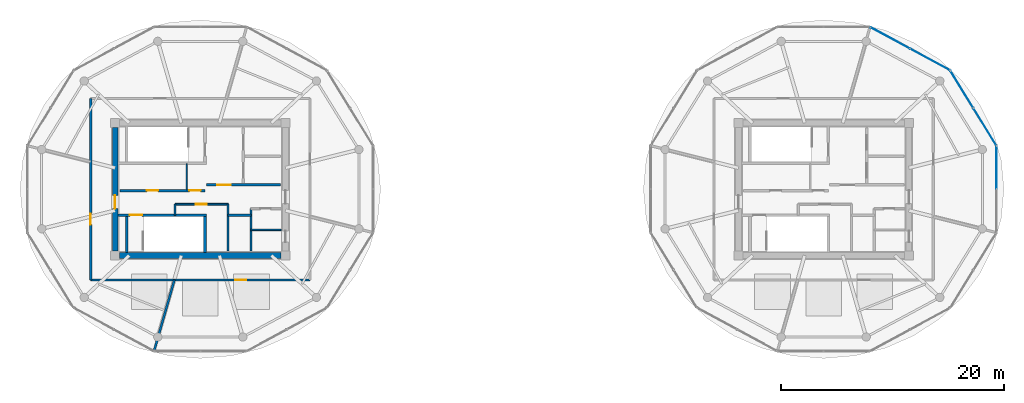
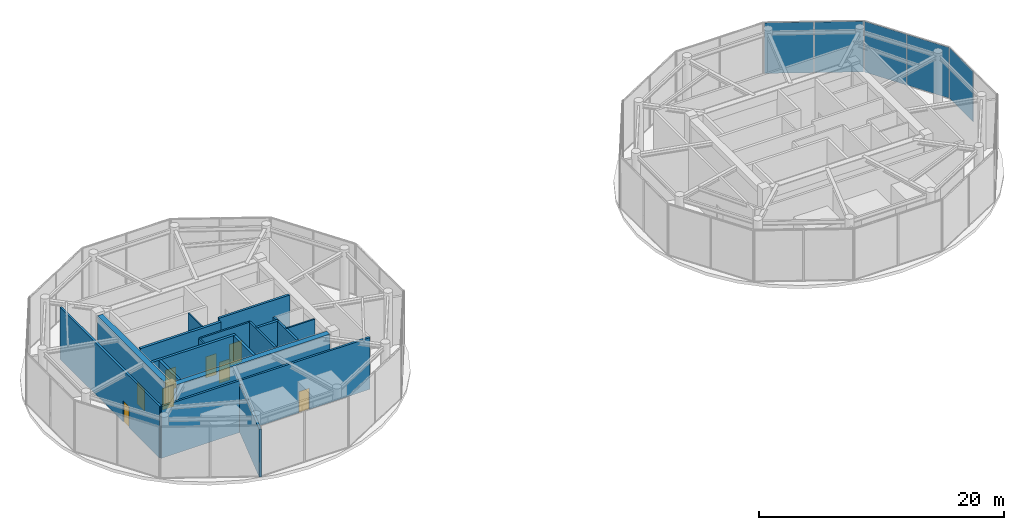
# One storey, part 10 of 15: 17 walls, 8 doors, 5 plates, 8 openings, 3 elements without a shape of their own.
"""IFC4 building model written with IfcOpenShell, lengths in metres."""

from ifc_helpers import new_model, si_unit, direction, frame, frame_2d, origin, origin_2d, place, context, subcontext, project, spatial, rectangle, extrude, source, transform, mapped, material, layer, layer_set, type_object, type_shapes, element, fill, aggregate, save


model = new_model("IFC4")

# Units and contexts
model_context = context("Model", 3, precision=1e-05, world=origin(), true_north=direction((0.0, 1.0)))
body_context = subcontext(model_context, "Body", "Model", "MODEL_VIEW")
ifc_project = project(units=[si_unit("LENGTHUNIT", "METRE"), si_unit("AREAUNIT", "SQUARE_METRE"), si_unit("VOLUMEUNIT", "CUBIC_METRE"), si_unit("PLANEANGLEUNIT", "RADIAN"), si_unit("MASSUNIT", "GRAM", prefix="KILO")], contexts=[model_context])

# Site, building, storey
site_placement = place(None, origin())
site = spatial("IfcSite", under=ifc_project, at=site_placement, CompositionType="ELEMENT")
building_placement = place(site_placement, origin())
building = spatial("IfcBuilding", under=site, at=building_placement, Name="Norrkilde Senior Care Towers", CompositionType="ELEMENT")
storey_placement = place(building_placement, frame((0.0, 0.0, 244.39990234375)))
storey = spatial("IfcBuildingStorey", under=building, at=storey_placement, Name="L76", CompositionType="ELEMENT", Elevation=244.39990234375)

# Curtain wall, plates
ifc_material_1 = material(Name="Triple Low-E Insulated Glazing", Category="glass")
ifc_layer_1 = layer(ifc_material_1, 0.205078125)
ifc_layer_set_1 = layer_set([ifc_layer_1], Name="Triple Low-E Insulated Glazing")
curtain_wall_type = type_object("IfcCurtainWallType", Name="CW7 L76 Damper Lantern Clear Curtain Wall", PredefinedType="NOTDEFINED", material=ifc_layer_set_1)
curtain_wall_1_placement = place(storey_placement, origin())
curtain_wall_1 = element("IfcCurtainWall", 1, at=curtain_wall_1_placement, inside=storey, type_object=curtain_wall_type, Name="L76 Drum E Curtain Wall 00", PredefinedType="NOTDEFINED")
ifc_layer_2 = layer(ifc_material_1, 0.035888671875)
ifc_layer_set_2 = layer_set([ifc_layer_2], Name="Triple Low-E Insulated Glazing")
plate_type = type_object("IfcPlateType", Name="Triple Low-E Vision Curtain Panel 36", PredefinedType="CURTAIN_PANEL", material=ifc_layer_set_2)
shared_shape_1 = source(origin(), body_context, "Body", "SweptSolid", [
    extrude(rectangle(XDim=3.87939453125, YDim=0.035888671875, at=origin_2d()), origin(), (0.0, 0.0, 1.0), 5.054931640625),
])
plate_1_placement = place(storey_placement, frame((40.418701171875, 8.96044921875, 0.06005859375), z_axis=(0.0, 0.0, 1.0), x_axis=(0.524252726748, -0.851562727283, 0.0)))
plate_1 = element("IfcPlate", 2, at=plate_1_placement, type_object=plate_type, Name="CW-7 panel 1.1", PredefinedType="CURTAIN_PANEL", context=body_context, shape_type="MappedRepresentation", body=[
    mapped(shared_shape_1, transform((0.0, 0.0, 0.0), x_axis=(1.0, 0.0, 0.0), y_axis=(0.0, 1.0, 0.0), z_axis=(0.0, 0.0, 1.0), scale=1.0)),
])
plate_2_placement = place(storey_placement, frame((42.48388671875, 5.605712890625, 0.06005859375), z_axis=(0.0, 0.0, 1.0), x_axis=(0.524252726748, -0.851562727283, 0.0)))
plate_2 = element("IfcPlate", 3, at=plate_2_placement, type_object=plate_type, Name="CW-7 panel 2.1", PredefinedType="CURTAIN_PANEL", context=body_context, shape_type="MappedRepresentation", body=[
    mapped(shared_shape_1, transform((0.0, 0.0, 0.0), x_axis=(1.0, 0.0, 0.0), y_axis=(0.0, 1.0, 0.0), z_axis=(0.0, 0.0, 1.0), scale=1.0)),
])
aggregate(curtain_wall_1, [plate_1, plate_2])

curtain_wall_2_placement = place(storey_placement, origin())
curtain_wall_2 = element("IfcCurtainWall", 4, at=curtain_wall_2_placement, inside=storey, type_object=curtain_wall_type, Name="L76 Drum E Curtain Wall 01", PredefinedType="NOTDEFINED")
shared_shape_2 = source(origin(), body_context, "Body", "SweptSolid", [
    extrude(rectangle(XDim=4.008544921875, YDim=0.035888671875, at=origin_2d()), origin(), (0.0, 0.0, 1.0), 5.054931640625),
])
plate_3_placement = place(storey_placement, frame((33.97705078125, 13.583251953125, 0.06005859375), z_axis=(0.0, 0.0, 1.0), x_axis=(0.879373455772, -0.476132676136, 0.0)))
plate_3 = element("IfcPlate", 5, at=plate_3_placement, type_object=plate_type, Name="CW-7 panel 1.1", PredefinedType="CURTAIN_PANEL", context=body_context, shape_type="MappedRepresentation", body=[
    mapped(shared_shape_2, transform((0.0, 0.0, 0.0), x_axis=(1.0, 0.0, 0.0), y_axis=(0.0, 1.0, 0.0), z_axis=(0.0, 0.0, 1.0), scale=1.0)),
])
plate_4_placement = place(storey_placement, frame((37.554931640625, 11.64599609375, 0.06005859375), z_axis=(0.0, 0.0, 1.0), x_axis=(0.879373455772, -0.476132676136, 0.0)))
plate_4 = element("IfcPlate", 6, at=plate_4_placement, type_object=plate_type, Name="CW-7 panel 2.1", PredefinedType="CURTAIN_PANEL", context=body_context, shape_type="MappedRepresentation", body=[
    mapped(shared_shape_2, transform((0.0, 0.0, 0.0), x_axis=(1.0, 0.0, 0.0), y_axis=(0.0, 1.0, 0.0), z_axis=(0.0, 0.0, 1.0), scale=1.0)),
])
aggregate(curtain_wall_2, [plate_3, plate_4])

# Curtain wall, plate
curtain_wall_3_placement = place(storey_placement, origin())
curtain_wall_3 = element("IfcCurtainWall", 7, at=curtain_wall_3_placement, inside=storey, type_object=curtain_wall_type, Name="L76 Drum E Curtain Wall 11", PredefinedType="NOTDEFINED")
shared_shape_3 = source(origin(), body_context, "Body", "SweptSolid", [
    extrude(rectangle(XDim=3.81298828125, YDim=0.035888671875, at=origin_2d()), origin(), (0.0, 0.0, 1.0), 5.054931640625),
])
type_shapes(plate_type, [shared_shape_1, shared_shape_2, shared_shape_3])
plate_5_placement = place(storey_placement, frame((43.531982421875, 1.9365234375, 0.06005859375), z_axis=(0.0, 0.0, 1.0), x_axis=(0.0, -1.0, 0.0)))
plate_5 = element("IfcPlate", 8, at=plate_5_placement, type_object=plate_type, Name="CW-7 panel 1.1", PredefinedType="CURTAIN_PANEL", context=body_context, shape_type="MappedRepresentation", body=[
    mapped(shared_shape_3, transform((0.0, 0.0, 0.0), x_axis=(1.0, 0.0, 0.0), y_axis=(0.0, 1.0, 0.0), z_axis=(0.0, 0.0, 1.0), scale=1.0)),
])
aggregate(curtain_wall_3, [plate_5])

# Wall
ifc_material_2 = material(Name="Concrete C50/60", Category="concrete")
ifc_layer_3 = layer(ifc_material_2, 0.52001953125)
ifc_layer_set_3 = layer_set([ifc_layer_3], Name="Concrete C50/60")
wall_type_1 = type_object("IfcWallType", Name="Core Shear Wall Z4 520", PredefinedType="SHEAR", material=ifc_layer_set_3)
shared_shape_4 = source(origin(), body_context, "Body", "SweptSolid", [
    extrude(rectangle(XDim=14.5, YDim=0.52001953125, at=frame_2d((7.25, 0.0))), origin(), (0.0, 0.0, 1.0), 5.175048828125),
])
wall_1_placement = place(storey_placement, frame((-20.75, -5.949951171875, 0.0), z_axis=(0.0, 0.0, 1.0), x_axis=(-1.0, 0.0, 0.0)))
element("IfcWall", 9, at=wall_1_placement, inside=storey, type_object=wall_type_1, Name="L76 Core W South Shear Wall", PredefinedType="SHEAR", context=body_context, shape_type="MappedRepresentation", body=[
    mapped(shared_shape_4, transform((0.0, 0.0, 0.0), x_axis=(1.0, 0.0, 0.0), y_axis=(0.0, 1.0, 0.0), z_axis=(0.0, 0.0, 1.0), scale=1.0)),
])

# Wall, opening, door
shared_shape_5 = source(origin(), body_context, "Body", "SweptSolid", [
    extrude(rectangle(XDim=11.10009765625, YDim=0.52001953125, at=frame_2d((5.550048828125, 0.0))), origin(), (0.0, 0.0, 1.0), 5.175048828125),
])
type_shapes(wall_type_1, [shared_shape_4, shared_shape_5])
wall_2_placement = place(storey_placement, frame((-35.64990234375, -5.550048828125, 0.0), z_axis=(0.0, 0.0, 1.0), x_axis=(0.0, 1.0, 0.0)))
wall_2 = element("IfcWall", 10, at=wall_2_placement, inside=storey, type_object=wall_type_1, Name="L76 Core W West Shear Wall", PredefinedType="SHEAR", context=body_context, shape_type="MappedRepresentation", body=[
    mapped(shared_shape_5, transform((0.0, 0.0, 0.0), x_axis=(1.0, 0.0, 0.0), y_axis=(0.0, 1.0, 0.0), z_axis=(0.0, 0.0, 1.0), scale=1.0)),
])
opening_1_placement = place(wall_2_placement, frame((3.800048828125, 0.0, 0.0)))
opening_1 = element("IfcOpeningElement", 11, at=opening_1_placement, cuts=wall_2, Name="Opening D-04", PredefinedType="OPENING", context=body_context, shape_type="SweptSolid", body=[
    extrude(rectangle(XDim=1.199951171875, YDim=2.14990234375, at=frame_2d((0.60009765625, 1.074951171875))), frame((0.0, 0.27001953125, 0.0), z_axis=(0.0, -1.0, 0.0), x_axis=(1.0, 0.0, 0.0)), (0.0, 0.0, 1.0), 0.5400390625),
])
ifc_material_3 = material(Name="Galvanised Painted Steel", Category="steel")
door_type_1 = type_object("IfcDoorType", Name="Firefighting Lobby Fire Door 1200x2150", OperationType="NOTDEFINED", PredefinedType="DOOR", material=ifc_material_3)
shared_shape_6 = source(origin(), body_context, "Body", "SweptSolid", [
    extrude(rectangle(XDim=1.199951171875, YDim=2.14990234375, at=frame_2d((0.60009765625, 1.074951171875))), frame((0.0, 0.02490234375, 0.0), z_axis=(0.0, -1.0, 0.0), x_axis=(1.0, 0.0, 0.0)), (0.0, 0.0, 1.0), 0.050048828125),
])
type_shapes(door_type_1, [shared_shape_6])
door_1_placement = place(opening_1_placement, frame((1.199951171875, 0.0, 0.0), z_axis=(0.0, 0.0, 1.0), x_axis=(-1.0, 0.0, 0.0)))
door_1 = element("IfcDoor", 12, at=door_1_placement, inside=storey, type_object=door_type_1, Name="L76 Core W West Portal Door", OperationType="SINGLE_SWING_LEFT", OverallHeight=2.14990234375, OverallWidth=1.199951171875, PredefinedType="DOOR", context=body_context, shape_type="MappedRepresentation", body=[
    mapped(shared_shape_6, transform((0.0, 0.0, 0.0), x_axis=(1.0, 0.0, 0.0), y_axis=(0.0, 1.0, 0.0), z_axis=(0.0, 0.0, 1.0), scale=1.0)),
])
fill(opening_1, door_1)

ifc_material_4 = material(Name="Concrete C45/55", Category="concrete")
ifc_layer_4 = layer(ifc_material_4, 0.239990234375)
ifc_layer_set_4 = layer_set([ifc_layer_4], Name="Concrete C45/55")
wall_type_2 = type_object("IfcWallType", Name="Shaft and Stair Enclosure Wall 240", PredefinedType="PARTITIONING", material=ifc_layer_set_4)
shared_shape_7 = source(origin(), body_context, "Body", "SweptSolid", [
    extrude(rectangle(XDim=7.929931640625, YDim=0.239990234375, at=frame_2d((3.96484375, 0.0))), origin(), (0.0, 0.0, 1.0), 5.175048828125),
])
wall_3_placement = place(storey_placement, frame((-35.389892578125, -2.330078125, 0.0), z_axis=(0.0, 0.0, 1.0), x_axis=(1.0, 0.0, 0.0)))
wall_3 = element("IfcWall", 13, at=wall_3_placement, inside=storey, type_object=wall_type_2, Name="WL-INT-L76-W-ST2N", PredefinedType="PARTITIONING", context=body_context, shape_type="MappedRepresentation", body=[
    mapped(shared_shape_7, transform((0.0, 0.0, 0.0), x_axis=(1.0, 0.0, 0.0), y_axis=(0.0, 1.0, 0.0), z_axis=(0.0, 0.0, 1.0), scale=1.0)),
])
opening_2_placement = place(wall_3_placement, frame((1.050048828125, 0.0, 0.0)))
opening_2 = element("IfcOpeningElement", 14, at=opening_2_placement, cuts=wall_3, Name="Opening D-03", PredefinedType="OPENING", context=body_context, shape_type="SweptSolid", body=[
    extrude(rectangle(XDim=1.10009765625, YDim=2.14990234375, at=frame_2d((0.550048828125, 1.074951171875))), frame((0.0, 0.1298828125, 0.0), z_axis=(0.0, -1.0, 0.0), x_axis=(1.0, 0.0, 0.0)), (0.0, 0.0, 1.0), 0.260009765625),
])
door_type_2 = type_object("IfcDoorType", Name="Stairwell Protected Fire Door 1100x2150", OperationType="NOTDEFINED", PredefinedType="DOOR", material=ifc_material_3)
shared_shape_8 = source(origin(), body_context, "Body", "SweptSolid", [
    extrude(rectangle(XDim=1.10009765625, YDim=2.14990234375, at=frame_2d((0.550048828125, 1.074951171875))), frame((0.0, 0.02490234375, 0.0), z_axis=(0.0, -1.0, 0.0), x_axis=(1.0, 0.0, 0.0)), (0.0, 0.0, 1.0), 0.050048828125),
])
type_shapes(door_type_2, [shared_shape_8])
door_2_placement = place(opening_2_placement, frame((1.10009765625, 0.0, 0.0), z_axis=(0.0, 0.0, 1.0), x_axis=(-1.0, 0.0, 0.0)))
door_2 = element("IfcDoor", 15, at=door_2_placement, inside=storey, type_object=door_type_2, Name="L76 Stair W2 Fire Door", OperationType="SINGLE_SWING_RIGHT", OverallHeight=2.14990234375, OverallWidth=1.10009765625, PredefinedType="DOOR", context=body_context, shape_type="MappedRepresentation", body=[
    mapped(shared_shape_8, transform((0.0, 0.0, 0.0), x_axis=(1.0, 0.0, 0.0), y_axis=(0.0, 1.0, 0.0), z_axis=(0.0, 0.0, 1.0), scale=1.0)),
])
fill(opening_2, door_2)

# Walls
shared_shape_9 = source(origin(), body_context, "Body", "SweptSolid", [
    extrude(rectangle(XDim=3.239990234375, YDim=0.239990234375, at=frame_2d((1.6201171875, 0.0))), origin(), (0.0, 0.0, 1.0), 5.175048828125),
])
type_shapes(wall_type_2, [shared_shape_7, shared_shape_9])
for number, where, z_axis, x_axis, name in (
    (16, (-34.6201171875, -5.68994140625, 0.0), (0.0, 0.0, 1.0), (0.0, 1.0, 0.0), "WL-INT-L76-W-ST2W"),
    (17, (-27.580078125, -5.68994140625, 0.0), (0.0, 0.0, 1.0), (0.0, 1.0, 0.0), "WL-INT-L76-W-ST2E"),
):
    element("IfcWall", number, at=place(storey_placement, frame(where, z_axis=z_axis, x_axis=x_axis)), inside=storey, type_object=wall_type_2, Name=name, PredefinedType="PARTITIONING", context=body_context, shape_type="MappedRepresentation", body=[
        mapped(shared_shape_9, transform((0.0, 0.0, 0.0), x_axis=(1.0, 0.0, 0.0), y_axis=(0.0, 1.0, 0.0), z_axis=(0.0, 0.0, 1.0), scale=1.0)),
    ])

# Wall, opening, door
ifc_layer_5 = layer(ifc_material_4, 0.2099609375)
ifc_layer_set_5 = layer_set([ifc_layer_5], Name="Concrete C45/55")
wall_type_3 = type_object("IfcWallType", Name="Firefighting Lobby Wall 210", PredefinedType="PARTITIONING", material=ifc_layer_set_5)
shared_shape_10 = source(origin(), body_context, "Body", "SweptSolid", [
    extrude(rectangle(XDim=6.659912109375, YDim=0.2099609375, at=frame_2d((3.330078125, 0.0))), origin(), (0.0, 0.0, 1.0), 5.16015625),
])
type_shapes(wall_type_3, [shared_shape_10])
wall_4_placement = place(storey_placement, frame((-27.4599609375, 0.389892578125, 0.0), z_axis=(0.0, 0.0, 1.0), x_axis=(1.0, 0.0, 0.0)))
wall_4 = element("IfcWall", 18, at=wall_4_placement, inside=storey, type_object=wall_type_3, Name="WL-INT-L76-W-FFLS", PredefinedType="PARTITIONING", context=body_context, shape_type="MappedRepresentation", body=[
    mapped(shared_shape_10, transform((0.0, 0.0, 0.0), x_axis=(1.0, 0.0, 0.0), y_axis=(0.0, 1.0, 0.0), z_axis=(0.0, 0.0, 1.0), scale=1.0)),
])
opening_3_placement = place(wall_4_placement, frame((1.0, 0.0, 0.0)))
opening_3 = element("IfcOpeningElement", 19, at=opening_3_placement, cuts=wall_4, Name="Opening D-04", PredefinedType="OPENING", context=body_context, shape_type="SweptSolid", body=[
    extrude(rectangle(XDim=1.199951171875, YDim=2.14990234375, at=frame_2d((0.60009765625, 1.074951171875))), frame((0.0, 0.114990234375, 0.0), z_axis=(0.0, -1.0, 0.0), x_axis=(1.0, 0.0, 0.0)), (0.0, 0.0, 1.0), 0.22998046875),
])
door_3_placement = place(opening_3_placement, frame((1.199951171875, 0.0, 0.0), z_axis=(0.0, 0.0, 1.0), x_axis=(-1.0, 0.0, 0.0)))
door_3 = element("IfcDoor", 20, at=door_3_placement, inside=storey, type_object=door_type_1, Name="L76 Firefighting Lobby W Door", OperationType="SINGLE_SWING_LEFT", OverallHeight=2.14990234375, OverallWidth=1.199951171875, PredefinedType="DOOR", context=body_context, shape_type="MappedRepresentation", body=[
    mapped(shared_shape_6, transform((0.0, 0.0, 0.0), x_axis=(1.0, 0.0, 0.0), y_axis=(0.0, 1.0, 0.0), z_axis=(0.0, 0.0, 1.0), scale=1.0)),
])
fill(opening_3, door_3)

# Wall, openings, doors
ifc_layer_6 = layer(ifc_material_4, 0.239990234375)
ifc_layer_set_6 = layer_set([ifc_layer_6], Name="Concrete C45/55")
wall_type_4 = type_object("IfcWallType", Name="Lift and Plant Rated Enclosure Partition 240", PredefinedType="PARTITIONING", material=ifc_layer_set_6)
shared_shape_11 = source(origin(), body_context, "Body", "SweptSolid", [
    extrude(rectangle(XDim=7.619873046875, YDim=0.239990234375, at=frame_2d((3.81005859375, 0.0))), origin(), (0.0, 0.0, 1.0), 5.16015625),
])
wall_5_placement = place(storey_placement, frame((-35.199951171875, -0.1298828125, 0.0), z_axis=(0.0, 0.0, 1.0), x_axis=(1.0, 0.0, 0.0)))
wall_5 = element("IfcWall", 21, at=wall_5_placement, inside=storey, type_object=wall_type_4, Name="WL-INT-L76-W-PKAS", PredefinedType="PARTITIONING", context=body_context, shape_type="MappedRepresentation", body=[
    mapped(shared_shape_11, transform((0.0, 0.0, 0.0), x_axis=(1.0, 0.0, 0.0), y_axis=(0.0, 1.0, 0.0), z_axis=(0.0, 0.0, 1.0), scale=1.0)),
])
opening_4_placement = place(wall_5_placement, frame((6.219970703125, 0.0, 0.0)))
opening_4 = element("IfcOpeningElement", 22, at=opening_4_placement, cuts=wall_5, Name="Opening D-10", PredefinedType="OPENING", context=body_context, shape_type="SweptSolid", body=[
    extrude(rectangle(XDim=1.0, YDim=2.10009765625, at=frame_2d((0.5, 1.050048828125))), frame((0.0, 0.1298828125, 0.0), z_axis=(0.0, -1.0, 0.0), x_axis=(1.0, 0.0, 0.0)), (0.0, 0.0, 1.0), 0.260009765625),
])
opening_5_placement = place(wall_5_placement, frame((2.39990234375, 0.0, 0.0)))
opening_5 = element("IfcOpeningElement", 23, at=opening_5_placement, cuts=wall_5, Name="Opening D-10", PredefinedType="OPENING", context=body_context, shape_type="SweptSolid", body=[
    extrude(rectangle(XDim=1.0, YDim=2.10009765625, at=frame_2d((0.5, 1.050048828125))), frame((0.0, 0.1298828125, 0.0), z_axis=(0.0, -1.0, 0.0), x_axis=(1.0, 0.0, 0.0)), (0.0, 0.0, 1.0), 0.260009765625),
])
door_type_3 = type_object("IfcDoorType", Name="Plant and Riser Rated Door 1000x2100", OperationType="NOTDEFINED", PredefinedType="DOOR", material=ifc_material_3)
shared_shape_12 = source(origin(), body_context, "Body", "SweptSolid", [
    extrude(rectangle(XDim=1.0, YDim=2.10009765625, at=frame_2d((0.5, 1.050048828125))), frame((0.0, 0.02490234375, 0.0), z_axis=(0.0, -1.0, 0.0), x_axis=(1.0, 0.0, 0.0)), (0.0, 0.0, 1.0), 0.050048828125),
])
type_shapes(door_type_3, [shared_shape_12])
door_4_placement = place(opening_4_placement, frame((1.0, 0.0, 0.0), z_axis=(0.0, 0.0, 1.0), x_axis=(-1.0, 0.0, 0.0)))
door_4 = element("IfcDoor", 24, at=door_4_placement, inside=storey, type_object=door_type_3, Name="L76 Electrical Riser W Door", OperationType="SINGLE_SWING_LEFT", OverallHeight=2.10009765625, OverallWidth=1.0, PredefinedType="DOOR", context=body_context, shape_type="MappedRepresentation", body=[
    mapped(shared_shape_12, transform((0.0, 0.0, 0.0), x_axis=(1.0, 0.0, 0.0), y_axis=(0.0, 1.0, 0.0), z_axis=(0.0, 0.0, 1.0), scale=1.0)),
])
fill(opening_4, door_4)
door_5_placement = place(opening_5_placement, frame((1.0, 0.0, 0.0), z_axis=(0.0, 0.0, 1.0), x_axis=(-1.0, 0.0, 0.0)))
door_5 = element("IfcDoor", 25, at=door_5_placement, inside=storey, type_object=door_type_3, Name="L76 Clean Supply Store W Door", OperationType="SINGLE_SWING_LEFT", OverallHeight=2.10009765625, OverallWidth=1.0, PredefinedType="DOOR", context=body_context, shape_type="MappedRepresentation", body=[
    mapped(shared_shape_12, transform((0.0, 0.0, 0.0), x_axis=(1.0, 0.0, 0.0), y_axis=(0.0, 1.0, 0.0), z_axis=(0.0, 0.0, 1.0), scale=1.0)),
])
fill(opening_5, door_5)

# Walls
ifc_material_5 = material(Name="Gypsum Acoustic Board")
ifc_layer_7 = layer(ifc_material_5, 0.114990234375)
ifc_layer_set_7 = layer_set([ifc_layer_7], Name="Gypsum Acoustic Board")
wall_type_5 = type_object("IfcWallType", Name="Internal Room Partition 115", PredefinedType="PARTITIONING", material=ifc_layer_set_7)
shared_shape_13 = source(origin(), body_context, "Body", "SweptSolid", [
    extrude(rectangle(XDim=2.330078125, YDim=0.114990234375, at=frame_2d((1.1650390625, 0.0))), origin(), (0.0, 0.0, 1.0), 5.16015625),
])
type_shapes(wall_type_5, [shared_shape_13])
wall_6_placement = place(storey_placement, frame((-29.2099609375, -0.050048828125, 0.0), z_axis=(0.0, 0.0, 1.0), x_axis=(0.0, 1.0, 0.0)))
element("IfcWall", 26, at=wall_6_placement, inside=storey, type_object=wall_type_5, Name="WL-INT-L76-W-RISW", PredefinedType="PARTITIONING", context=body_context, shape_type="MappedRepresentation", body=[
    mapped(shared_shape_13, transform((0.0, 0.0, 0.0), x_axis=(1.0, 0.0, 0.0), y_axis=(0.0, 1.0, 0.0), z_axis=(0.0, 0.0, 1.0), scale=1.0)),
])
ifc_layer_8 = layer(ifc_material_4, 0.199951171875)
ifc_layer_set_8 = layer_set([ifc_layer_8], Name="Concrete C45/55")
wall_type_6 = type_object("IfcWallType", Name="Shaft Division and Plant Partition 200", PredefinedType="PARTITIONING", material=ifc_layer_set_8)
shared_shape_14 = source(origin(), body_context, "Body", "SweptSolid", [
    extrude(rectangle(XDim=3.800048828125, YDim=0.199951171875, at=frame_2d((1.89990234375, 0.0))), origin(), (0.0, 0.0, 1.0), 5.16015625),
])
wall_7_placement = place(storey_placement, frame((-23.449951171875, -5.550048828125, 0.0), z_axis=(0.0, 0.0, 1.0), x_axis=(0.0, 1.0, 0.0)))
element("IfcWall", 27, at=wall_7_placement, inside=storey, type_object=wall_type_6, Name="WL-INT-L76-W-PKBE", PredefinedType="PARTITIONING", context=body_context, shape_type="MappedRepresentation", body=[
    mapped(shared_shape_14, transform((0.0, 0.0, 0.0), x_axis=(1.0, 0.0, 0.0), y_axis=(0.0, 1.0, 0.0), z_axis=(0.0, 0.0, 1.0), scale=1.0)),
])
shared_shape_15 = source(origin(), body_context, "Body", "SweptSolid", [
    extrude(rectangle(XDim=2.050048828125, YDim=0.239990234375, at=frame_2d((1.02490234375, 0.0))), origin(), (0.0, 0.0, 1.0), 5.16015625),
])
type_shapes(wall_type_4, [shared_shape_11, shared_shape_15])
wall_8_placement = place(storey_placement, frame((-25.5, -2.330078125, 0.0), z_axis=(0.0, 0.0, 1.0), x_axis=(1.0, 0.0, 0.0)))
element("IfcWall", 28, at=wall_8_placement, inside=storey, type_object=wall_type_4, Name="WL-INT-L76-W-PL4N", PredefinedType="PARTITIONING", context=body_context, shape_type="MappedRepresentation", body=[
    mapped(shared_shape_15, transform((0.0, 0.0, 0.0), x_axis=(1.0, 0.0, 0.0), y_axis=(0.0, 1.0, 0.0), z_axis=(0.0, 0.0, 1.0), scale=1.0)),
])
ifc_layer_9 = layer(ifc_material_4, 0.179931640625)
ifc_layer_set_9 = layer_set([ifc_layer_9], Name="Concrete C45/55")
wall_type_7 = type_object("IfcWallType", Name="Hoistway Division Rated Partition 180", PredefinedType="PARTITIONING", material=ifc_layer_set_9)
shared_shape_16 = source(origin(), body_context, "Body", "SweptSolid", [
    extrude(rectangle(XDim=4.199951171875, YDim=0.179931640625, at=frame_2d((2.10009765625, 0.0))), origin(), (0.0, 0.0, 1.0), 5.16015625),
])
type_shapes(wall_type_7, [shared_shape_16])
wall_9_placement = place(storey_placement, frame((-25.5, -5.550048828125, 0.0), z_axis=(0.0, 0.0, 1.0), x_axis=(0.0, 1.0, 0.0)))
element("IfcWall", 29, at=wall_9_placement, inside=storey, type_object=wall_type_7, Name="WL-INT-L76-W-PL4W", PredefinedType="PARTITIONING", context=body_context, shape_type="MappedRepresentation", body=[
    mapped(shared_shape_16, transform((0.0, 0.0, 0.0), x_axis=(1.0, 0.0, 0.0), y_axis=(0.0, 1.0, 0.0), z_axis=(0.0, 0.0, 1.0), scale=1.0)),
])

# Wall, opening, door
ifc_layer_10 = layer(ifc_material_5, 0.1650390625)
ifc_layer_set_10 = layer_set([ifc_layer_10], Name="Gypsum Acoustic Board")
wall_type_8 = type_object("IfcWallType", Name="Corridor Rated Partition 165", PredefinedType="PARTITIONING", material=ifc_layer_set_10)
shared_shape_17 = source(origin(), body_context, "Body", "SweptSolid", [
    extrude(rectangle(XDim=4.77001953125, YDim=0.1650390625, at=frame_2d((2.385009765625, 0.0))), origin(), (0.0, 0.0, 1.0), 5.16015625),
])
wall_10_placement = place(storey_placement, frame((-30.27001953125, -1.35009765625, 0.0), z_axis=(0.0, 0.0, 1.0), x_axis=(1.0, 0.0, 0.0)))
wall_10 = element("IfcWall", 30, at=wall_10_placement, inside=storey, type_object=wall_type_8, Name="WL-INT-L76-W-FR2N", PredefinedType="PARTITIONING", context=body_context, shape_type="MappedRepresentation", body=[
    mapped(shared_shape_17, transform((0.0, 0.0, 0.0), x_axis=(1.0, 0.0, 0.0), y_axis=(0.0, 1.0, 0.0), z_axis=(0.0, 0.0, 1.0), scale=1.0)),
])
opening_6_placement = place(wall_10_placement, frame((1.85009765625, 0.0, 0.0)))
opening_6 = element("IfcOpeningElement", 31, at=opening_6_placement, cuts=wall_10, Name="Opening D-10", PredefinedType="OPENING", context=body_context, shape_type="SweptSolid", body=[
    extrude(rectangle(XDim=1.0, YDim=2.10009765625, at=frame_2d((0.5, 1.050048828125))), frame((0.0, 0.092529296875, 0.0), z_axis=(0.0, -1.0, 0.0), x_axis=(1.0, 0.0, 0.0)), (0.0, 0.0, 1.0), 0.18505859375),
])
door_6_placement = place(opening_6_placement, origin())
door_6 = element("IfcDoor", 32, at=door_6_placement, inside=storey, type_object=door_type_3, Name="L76 Core Pantry W Door", OperationType="SINGLE_SWING_RIGHT", OverallHeight=2.10009765625, OverallWidth=1.0, PredefinedType="DOOR", context=body_context, shape_type="MappedRepresentation", body=[
    mapped(shared_shape_12, transform((0.0, 0.0, 0.0), x_axis=(1.0, 0.0, 0.0), y_axis=(0.0, 1.0, 0.0), z_axis=(0.0, 0.0, 1.0), scale=1.0)),
])
fill(opening_6, door_6)

# Walls
shared_shape_18 = source(origin(), body_context, "Body", "SweptSolid", [
    extrude(rectangle(XDim=0.97998046875, YDim=0.1650390625, at=frame_2d((0.489990234375, 0.0))), origin(), (0.0, 0.0, 1.0), 5.16015625),
])
type_shapes(wall_type_8, [shared_shape_17, shared_shape_18])
wall_11_placement = place(storey_placement, frame((-30.27001953125, -2.330078125, 0.0), z_axis=(0.0, 0.0, 1.0), x_axis=(0.0, 1.0, 0.0)))
element("IfcWall", 33, at=wall_11_placement, inside=storey, type_object=wall_type_8, Name="WL-INT-L76-W-FR2W", PredefinedType="PARTITIONING", context=body_context, shape_type="MappedRepresentation", body=[
    mapped(shared_shape_18, transform((0.0, 0.0, 0.0), x_axis=(1.0, 0.0, 0.0), y_axis=(0.0, 1.0, 0.0), z_axis=(0.0, 0.0, 1.0), scale=1.0)),
])
ifc_layer_11 = layer(ifc_material_5, 0.139892578125)
ifc_layer_set_11 = layer_set([ifc_layer_11], Name="Gypsum Acoustic Board")
wall_type_9 = type_object("IfcWallType", Name="En-suite Wet Room Wall 140", PredefinedType="PARTITIONING", material=ifc_layer_set_11)
shared_shape_19 = source(origin(), body_context, "Body", "SweptSolid", [
    extrude(rectangle(XDim=2.699951171875, YDim=0.139892578125, at=frame_2d((1.35009765625, 0.0))), origin(), (0.0, 0.0, 1.0), 5.16015625),
])
type_shapes(wall_type_9, [shared_shape_19])
wall_12_placement = place(storey_placement, frame((-23.449951171875, -3.64990234375, 0.0), z_axis=(0.0, 0.0, 1.0), x_axis=(1.0, 0.0, 0.0)))
element("IfcWall", 34, at=wall_12_placement, inside=storey, type_object=wall_type_9, Name="WL-INT-L76-W-CS2H", PredefinedType="PARTITIONING", context=body_context, shape_type="MappedRepresentation", body=[
    mapped(shared_shape_19, transform((0.0, 0.0, 0.0), x_axis=(1.0, 0.0, 0.0), y_axis=(0.0, 1.0, 0.0), z_axis=(0.0, 0.0, 1.0), scale=1.0)),
])

# Wall, opening, door
shared_shape_20 = source(origin(), body_context, "Body", "SweptSolid", [
    extrude(rectangle(XDim=19.7001953125, YDim=0.199951171875, at=frame_2d((9.85009765625, 0.0))), origin(), (0.0, 0.0, 1.0), 5.16015625),
])
wall_13_placement = place(storey_placement, frame((-18.14990234375, -8.14990234375, 0.0), z_axis=(0.0, 0.0, 1.0), x_axis=(-1.0, 0.0, 0.0)))
wall_13 = element("IfcWall", 35, at=wall_13_placement, inside=storey, type_object=wall_type_6, Name="WL-INT-L76-W-PCR-S", PredefinedType="PARTITIONING", context=body_context, shape_type="MappedRepresentation", body=[
    mapped(shared_shape_20, transform((0.0, 0.0, 0.0), x_axis=(1.0, 0.0, 0.0), y_axis=(0.0, 1.0, 0.0), z_axis=(0.0, 0.0, 1.0), scale=1.0)),
])
opening_7_placement = place(wall_13_placement, frame((5.72509765625, 0.0, 0.0)))
opening_7 = element("IfcOpeningElement", 36, at=opening_7_placement, cuts=wall_13, Name="Opening D-10", PredefinedType="OPENING", context=body_context, shape_type="SweptSolid", body=[
    extrude(rectangle(XDim=1.0, YDim=2.10009765625, at=frame_2d((0.5, 1.050048828125))), frame((0.0, 0.10986328125, 0.0), z_axis=(0.0, -1.0, 0.0), x_axis=(1.0, 0.0, 0.0)), (0.0, 0.0, 1.0), 0.219970703125),
])
door_7_placement = place(opening_7_placement, frame((1.0, 0.0, 0.0), z_axis=(0.0, 0.0, 1.0), x_axis=(-1.0, 0.0, 0.0)))
door_7 = element("IfcDoor", 37, at=door_7_placement, inside=storey, type_object=door_type_3, Name="L76 Tuned Mass Damper Pendulum Chamber Door", OperationType="SINGLE_SWING_LEFT", OverallHeight=2.10009765625, OverallWidth=1.0, PredefinedType="DOOR", context=body_context, shape_type="MappedRepresentation", body=[
    mapped(shared_shape_12, transform((0.0, 0.0, 0.0), x_axis=(1.0, 0.0, 0.0), y_axis=(0.0, 1.0, 0.0), z_axis=(0.0, 0.0, 1.0), scale=1.0)),
])
fill(opening_7, door_7)

shared_shape_21 = source(origin(), body_context, "Body", "SweptSolid", [
    extrude(rectangle(XDim=16.2998046875, YDim=0.199951171875, at=frame_2d((8.14990234375, 0.0))), origin(), (0.0, 0.0, 1.0), 5.16015625),
])
wall_14_placement = place(storey_placement, frame((-37.85009765625, -8.14990234375, 0.0), z_axis=(0.0, 0.0, 1.0), x_axis=(0.0, 1.0, 0.0)))
wall_14 = element("IfcWall", 38, at=wall_14_placement, inside=storey, type_object=wall_type_6, Name="WL-INT-L76-W-PCR-W", PredefinedType="PARTITIONING", context=body_context, shape_type="MappedRepresentation", body=[
    mapped(shared_shape_21, transform((0.0, 0.0, 0.0), x_axis=(1.0, 0.0, 0.0), y_axis=(0.0, 1.0, 0.0), z_axis=(0.0, 0.0, 1.0), scale=1.0)),
])
opening_8_placement = place(wall_14_placement, frame((4.965576171875, 0.0, 0.0)))
opening_8 = element("IfcOpeningElement", 39, at=opening_8_placement, cuts=wall_14, Name="Opening D-10", PredefinedType="OPENING", context=body_context, shape_type="SweptSolid", body=[
    extrude(rectangle(XDim=1.0, YDim=2.10009765625, at=frame_2d((0.5, 1.050048828125))), frame((0.0, 0.10986328125, 0.0), z_axis=(0.0, -1.0, 0.0), x_axis=(1.0, 0.0, 0.0)), (0.0, 0.0, 1.0), 0.219970703125),
])
door_8_placement = place(opening_8_placement, frame((1.0, 0.0, 0.0), z_axis=(0.0, 0.0, 1.0), x_axis=(-1.0, 0.0, 0.0)))
door_8 = element("IfcDoor", 40, at=door_8_placement, inside=storey, type_object=door_type_3, Name="L76 HV Switchroom and Fire Booster Pump Plant Door", OperationType="SINGLE_SWING_RIGHT", OverallHeight=2.10009765625, OverallWidth=1.0, PredefinedType="DOOR", context=body_context, shape_type="MappedRepresentation", body=[
    mapped(shared_shape_12, transform((0.0, 0.0, 0.0), x_axis=(1.0, 0.0, 0.0), y_axis=(0.0, 1.0, 0.0), z_axis=(0.0, 0.0, 1.0), scale=1.0)),
])
fill(opening_8, door_8)

# Wall
shared_shape_22 = source(origin(), body_context, "Body", "SweptSolid", [
    extrude(rectangle(XDim=6.693115234375, YDim=0.199951171875, at=frame_2d((3.3466796875, 0.0))), origin(), (0.0, 0.0, 1.0), 4.760009765625),
])
type_shapes(wall_type_6, [shared_shape_14, shared_shape_20, shared_shape_21, shared_shape_22])
wall_15_placement = place(storey_placement, frame((-30.328369140625, -8.14990234375, 0.0), z_axis=(0.0, 0.0, 1.0), x_axis=(-0.2747066748, -0.96152807698, 0.0)))
element("IfcWall", 41, at=wall_15_placement, inside=storey, type_object=wall_type_6, Name="WL-INT-L76-W-PRAD-0-0", PredefinedType="PARTITIONING", context=body_context, shape_type="MappedRepresentation", body=[
    mapped(shared_shape_22, transform((0.0, 0.0, 0.0), x_axis=(1.0, 0.0, 0.0), y_axis=(0.0, 1.0, 0.0), z_axis=(0.0, 0.0, 1.0), scale=1.0)),
])

save(model, "model.ifc")
